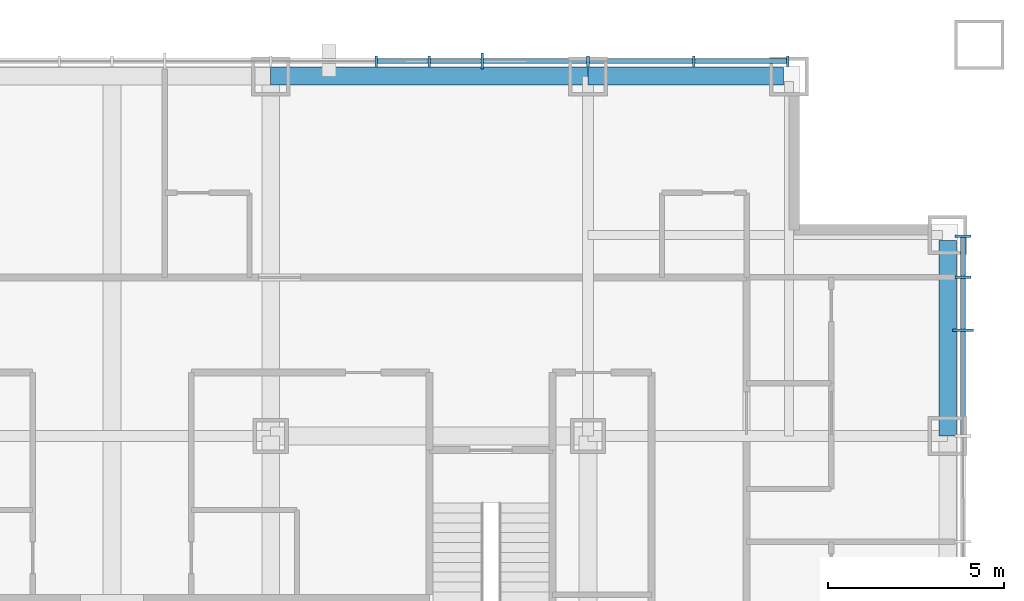
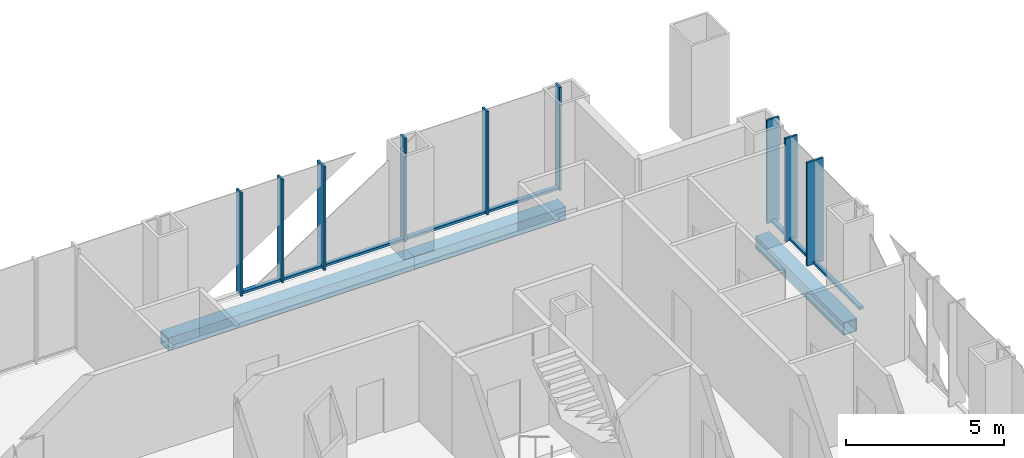
# One storey, part 6 of 13: 17 members, 3 beams, 2 elements without a shape of their own.
"""IFC4 building model written with IfcOpenShell, lengths in metres."""

from ifc_helpers import new_model, si_unit, direction, frame, origin, origin_2d, place, context, subcontext, project, spatial, rectangle, hollow_rectangle, extrude, material, layer, layer_set, material_profile, profile_set, type_object, element, aggregate, save


model = new_model("IFC4")

# Units and contexts
model_context = context("Model", 3, precision=1e-05, world=origin(), true_north=direction((0.0, 1.0)))
body_context = subcontext(model_context, "Body", "Model", "MODEL_VIEW")
ifc_project = project(units=[si_unit("LENGTHUNIT", "METRE"), si_unit("AREAUNIT", "SQUARE_METRE"), si_unit("VOLUMEUNIT", "CUBIC_METRE"), si_unit("PLANEANGLEUNIT", "RADIAN"), si_unit("MASSUNIT", "GRAM", prefix="KILO")], contexts=[model_context])

# Site, building, storey
site_placement = place(None, origin())
site = spatial("IfcSite", under=ifc_project, at=site_placement, CompositionType="ELEMENT")
building_placement = place(site_placement, origin())
building = spatial("IfcBuilding", under=site, at=building_placement, Name="Malebo Sky Hospital", CompositionType="ELEMENT")
storey_placement = place(building_placement, frame((0.0, 0.0, 160.0)))
storey = spatial("IfcBuildingStorey", under=building, at=storey_placement, Name="L38", CompositionType="ELEMENT", Elevation=160.0)

# Curtain wall, members
ifc_material_1 = material(Name="Anodised aluminium, natural silver", Category="aluminium")
ifc_layer_1 = layer(ifc_material_1, 0.25)
ifc_layer_set_1 = layer_set([ifc_layer_1], Name="WARD CURTAIN WALL NORTH AND SOUTH")
curtain_wall_type_1 = type_object("IfcCurtainWallType", Name="WARD CURTAIN WALL NORTH AND SOUTH", PredefinedType="NOTDEFINED", material=ifc_layer_set_1)
curtain_wall_1_placement = place(storey_placement, origin())
curtain_wall_1 = element("IfcCurtainWall", 1, at=curtain_wall_1_placement, inside=storey, type_object=curtain_wall_type_1, Name="NS curtain wall N", PredefinedType="NOTDEFINED")
ifc_material_profile_1 = material_profile(ifc_material_1, rectangle(XDim=0.14990234375, YDim=0.10009765625, at=origin_2d()), Name="ALUMINIUM TRANSOM 150x100")
ifc_profile_set_1 = profile_set([ifc_material_profile_1], Name="Anodised aluminium, natural silver")
member_type_1 = type_object("IfcMemberType", Name="ALUMINIUM TRANSOM 150x100", PredefinedType="USERDEFINED", material=ifc_profile_set_1)
member_1_placement = place(storey_placement, frame((67.53759765625, 86.135009765625, 0.050048828125), z_axis=(1.0, 0.0, 0.0), x_axis=(0.0, 1.0, 0.0)))
member_1 = element("IfcMember", 2, at=member_1_placement, type_object=member_type_1, Name="Transom 13", ObjectType="TRANSOM", PredefinedType="USERDEFINED", context=body_context, shape_type="SweptSolid", body=[
    extrude(rectangle(XDim=0.14990234375, YDim=0.10009765625, at=origin_2d()), origin(), (0.0, 0.0, 1.0), 1.4248046875),
])
member_2_placement = place(storey_placement, frame((69.03759765625, 86.135009765625, 0.050048828125), z_axis=(1.0, 0.0, 0.0), x_axis=(0.0, 1.0, 0.0)))
member_2 = element("IfcMember", 3, at=member_2_placement, type_object=member_type_1, Name="Transom 14", ObjectType="TRANSOM", PredefinedType="USERDEFINED", context=body_context, shape_type="SweptSolid", body=[
    extrude(rectangle(XDim=0.14990234375, YDim=0.10009765625, at=origin_2d()), origin(), (0.0, 0.0, 1.0), 1.4248046875),
])
member_3_placement = place(storey_placement, frame((70.53759765625, 86.135009765625, 0.050048828125), z_axis=(1.0, 0.0, 0.0), x_axis=(0.0, 1.0, 0.0)))
member_3 = element("IfcMember", 4, at=member_3_placement, type_object=member_type_1, Name="Transom 15", ObjectType="TRANSOM", PredefinedType="USERDEFINED", context=body_context, shape_type="SweptSolid", body=[
    extrude(rectangle(XDim=0.14990234375, YDim=0.10009765625, at=origin_2d()), origin(), (0.0, 0.0, 1.0), 2.9248046875),
])
member_4_placement = place(storey_placement, frame((73.53759765625, 86.135009765625, 0.050048828125), z_axis=(1.0, 0.0, 0.0), x_axis=(0.0, 1.0, 0.0)))
member_4 = element("IfcMember", 5, at=member_4_placement, type_object=member_type_1, Name="Transom 16", ObjectType="TRANSOM", PredefinedType="USERDEFINED", context=body_context, shape_type="SweptSolid", body=[
    extrude(rectangle(XDim=0.14990234375, YDim=0.10009765625, at=origin_2d()), origin(), (0.0, 0.0, 1.0), 2.9248046875),
])
member_5_placement = place(storey_placement, frame((76.53759765625, 86.135009765625, 0.050048828125), z_axis=(1.0, 0.0, 0.0), x_axis=(0.0, 1.0, 0.0)))
member_5 = element("IfcMember", 6, at=member_5_placement, type_object=member_type_1, Name="Transom 17", ObjectType="TRANSOM", PredefinedType="USERDEFINED", context=body_context, shape_type="SweptSolid", body=[
    extrude(rectangle(XDim=0.14990234375, YDim=0.10009765625, at=origin_2d()), origin(), (0.0, 0.0, 1.0), 2.58740234375),
])

ifc_layer_2 = layer(ifc_material_1, 0.25)
ifc_layer_set_2 = layer_set([ifc_layer_2], Name="WARD CURTAIN WALL EAST AND WEST")
curtain_wall_type_2 = type_object("IfcCurtainWallType", Name="WARD CURTAIN WALL EAST AND WEST", PredefinedType="NOTDEFINED", material=ifc_layer_set_2)
curtain_wall_2_placement = place(storey_placement, origin())
curtain_wall_2 = element("IfcCurtainWall", 7, at=curtain_wall_2_placement, inside=storey, type_object=curtain_wall_type_2, Name="EW curtain wall E", PredefinedType="NOTDEFINED")
member_6_placement = place(storey_placement, frame((84.135009765625, 81.125, 0.050048828125), z_axis=(0.0, -1.0, 0.0), x_axis=(1.0, 0.0, 0.0)))
member_6 = element("IfcMember", 8, at=member_6_placement, type_object=member_type_1, Name="Transom 1", ObjectType="TRANSOM", PredefinedType="USERDEFINED", context=body_context, shape_type="SweptSolid", body=[
    extrude(rectangle(XDim=0.14990234375, YDim=0.10009765625, at=origin_2d()), origin(), (0.0, 0.0, 1.0), 1.08740234375),
])
member_7_placement = place(storey_placement, frame((84.135009765625, 79.96240234375, 0.050048828125), z_axis=(0.0, -1.0, 0.0), x_axis=(1.0, 0.0, 0.0)))
member_7 = element("IfcMember", 9, at=member_7_placement, type_object=member_type_1, Name="Transom 2", ObjectType="TRANSOM", PredefinedType="USERDEFINED", context=body_context, shape_type="SweptSolid", body=[
    extrude(rectangle(XDim=0.14990234375, YDim=0.10009765625, at=origin_2d()), origin(), (0.0, 0.0, 1.0), 1.4248046875),
])
member_8_placement = place(storey_placement, frame((84.135009765625, 78.46240234375, 0.050048828125), z_axis=(0.0, -1.0, 0.0), x_axis=(1.0, 0.0, 0.0)))
member_8 = element("IfcMember", 10, at=member_8_placement, type_object=member_type_1, Name="Transom 3", ObjectType="TRANSOM", PredefinedType="USERDEFINED", context=body_context, shape_type="SweptSolid", body=[
    extrude(rectangle(XDim=0.14990234375, YDim=0.10009765625, at=origin_2d()), origin(), (0.0, 0.0, 1.0), 2.9248046875),
])

# Member
ifc_material_profile_2 = material_profile(ifc_material_1, rectangle(XDim=0.074951171875, YDim=0.300048828125, at=origin_2d()), Name="CW1 ALUMINIUM FIN MULLION 75x300")
ifc_profile_set_2 = profile_set([ifc_material_profile_2], Name="Anodised aluminium, natural silver")
member_type_2 = type_object("IfcMemberType", Name="CW1 ALUMINIUM FIN MULLION 75x300", PredefinedType="MULLION", material=ifc_profile_set_2)
member_9_placement = place(storey_placement, frame((67.5, 86.135009765625, 0.0), z_axis=(0.0, 0.0, 1.0), x_axis=(1.0, 0.0, 0.0)))
member_9 = element("IfcMember", 11, at=member_9_placement, type_object=member_type_2, Name="Fin mullion 13", PredefinedType="MULLION", context=body_context, shape_type="SweptSolid", body=[
    extrude(rectangle(XDim=0.074951171875, YDim=0.300048828125, at=origin_2d()), origin(), (0.0, 0.0, 1.0), 4.0),
])

member_10_placement = place(storey_placement, frame((69.0, 86.135009765625, 0.0), z_axis=(0.0, 0.0, 1.0), x_axis=(1.0, 0.0, 0.0)))
member_10 = element("IfcMember", 12, at=member_10_placement, type_object=member_type_2, Name="Fin mullion 14", PredefinedType="MULLION", context=body_context, shape_type="SweptSolid", body=[
    extrude(rectangle(XDim=0.074951171875, YDim=0.300048828125, at=origin_2d()), origin(), (0.0, 0.0, 1.0), 4.0),
])

member_11_placement = place(storey_placement, frame((73.5, 86.135009765625, 0.0), z_axis=(0.0, 0.0, 1.0), x_axis=(1.0, 0.0, 0.0)))
member_11 = element("IfcMember", 13, at=member_11_placement, type_object=member_type_2, Name="Fin mullion 16", PredefinedType="MULLION", context=body_context, shape_type="SweptSolid", body=[
    extrude(rectangle(XDim=0.074951171875, YDim=0.300048828125, at=origin_2d()), origin(), (0.0, 0.0, 1.0), 4.0),
])

member_12_placement = place(storey_placement, frame((76.5, 86.135009765625, 0.0), z_axis=(0.0, 0.0, 1.0), x_axis=(1.0, 0.0, 0.0)))
member_12 = element("IfcMember", 14, at=member_12_placement, type_object=member_type_2, Name="Fin mullion 17", PredefinedType="MULLION", context=body_context, shape_type="SweptSolid", body=[
    extrude(rectangle(XDim=0.074951171875, YDim=0.300048828125, at=origin_2d()), origin(), (0.0, 0.0, 1.0), 4.0),
])

member_13_placement = place(storey_placement, frame((79.16259765625, 86.135009765625, 0.0), z_axis=(0.0, 0.0, 1.0), x_axis=(1.0, 0.0, 0.0)))
member_13 = element("IfcMember", 15, at=member_13_placement, type_object=member_type_2, Name="Fin mullion 18", PredefinedType="MULLION", context=body_context, shape_type="SweptSolid", body=[
    extrude(rectangle(XDim=0.074951171875, YDim=0.300048828125, at=origin_2d()), origin(), (0.0, 0.0, 1.0), 4.0),
])

ifc_material_profile_3 = material_profile(ifc_material_1, rectangle(XDim=0.074951171875, YDim=0.449951171875, at=origin_2d()), Name="CW1 ALUMINIUM FIN MULLION 75x450")
ifc_profile_set_3 = profile_set([ifc_material_profile_3], Name="Anodised aluminium, natural silver")
member_type_3 = type_object("IfcMemberType", Name="CW1 ALUMINIUM FIN MULLION 75x450", PredefinedType="MULLION", material=ifc_profile_set_3)
member_14_placement = place(storey_placement, frame((70.5, 86.135009765625, 0.0), z_axis=(0.0, 0.0, 1.0), x_axis=(1.0, 0.0, 0.0)))
member_14 = element("IfcMember", 16, at=member_14_placement, type_object=member_type_3, Name="Fin mullion 15", PredefinedType="MULLION", context=body_context, shape_type="SweptSolid", body=[
    extrude(rectangle(XDim=0.074951171875, YDim=0.449951171875, at=origin_2d()), origin(), (0.0, 0.0, 1.0), 4.0),
])

aggregate(curtain_wall_1, [member_9, member_10, member_14, member_11, member_12, member_13, member_1, member_2, member_3, member_4, member_5])

ifc_material_profile_4 = material_profile(ifc_material_1, rectangle(XDim=0.074951171875, YDim=0.449951171875, at=origin_2d()), Name="CW2 ALUMINIUM FIN MULLION 75x450")
ifc_profile_set_4 = profile_set([ifc_material_profile_4], Name="Anodised aluminium, natural silver")
member_type_4 = type_object("IfcMemberType", Name="CW2 ALUMINIUM FIN MULLION 75x450", PredefinedType="MULLION", material=ifc_profile_set_4)
member_15_placement = place(storey_placement, frame((84.135009765625, 81.16259765625, 0.0), z_axis=(0.0, 0.0, 1.0), x_axis=(0.0, -1.0, 0.0)))
member_15 = element("IfcMember", 17, at=member_15_placement, type_object=member_type_4, Name="Fin mullion 1", PredefinedType="MULLION", context=body_context, shape_type="SweptSolid", body=[
    extrude(rectangle(XDim=0.074951171875, YDim=0.449951171875, at=origin_2d()), origin(), (0.0, 0.0, 1.0), 4.0),
])

member_16_placement = place(storey_placement, frame((84.135009765625, 80.0, 0.0), z_axis=(0.0, 0.0, 1.0), x_axis=(0.0, -1.0, 0.0)))
member_16 = element("IfcMember", 18, at=member_16_placement, type_object=member_type_4, Name="Fin mullion 2", PredefinedType="MULLION", context=body_context, shape_type="SweptSolid", body=[
    extrude(rectangle(XDim=0.074951171875, YDim=0.449951171875, at=origin_2d()), origin(), (0.0, 0.0, 1.0), 4.0),
])

ifc_material_profile_5 = material_profile(ifc_material_1, rectangle(XDim=0.074951171875, YDim=0.60009765625, at=origin_2d()), Name="CW2 ALUMINIUM FIN MULLION 75x600")
ifc_profile_set_5 = profile_set([ifc_material_profile_5], Name="Anodised aluminium, natural silver")
member_type_5 = type_object("IfcMemberType", Name="CW2 ALUMINIUM FIN MULLION 75x600", PredefinedType="MULLION", material=ifc_profile_set_5)
member_17_placement = place(storey_placement, frame((84.135009765625, 78.5, 0.0), z_axis=(0.0, 0.0, 1.0), x_axis=(0.0, -1.0, 0.0)))
member_17 = element("IfcMember", 19, at=member_17_placement, type_object=member_type_5, Name="Fin mullion 3", PredefinedType="MULLION", context=body_context, shape_type="SweptSolid", body=[
    extrude(rectangle(XDim=0.074951171875, YDim=0.60009765625, at=origin_2d()), origin(), (0.0, 0.0, 1.0), 4.0),
])

aggregate(curtain_wall_2, [member_15, member_16, member_17, member_6, member_7, member_8])

# Beams
ifc_material_2 = material(Name="Steel S460", Category="steel")
ifc_material_profile_6 = material_profile(ifc_material_2, hollow_rectangle(XDim=0.5, YDim=0.5, WallThickness=0.030029296875, at=origin_2d()), Name="BOX 500x500x30")
ifc_profile_set_6 = profile_set([ifc_material_profile_6], Name="Steel S460")
beam_type = type_object("IfcBeamType", Name="EDGE BEAM BOX 500x500x30", PredefinedType="BEAM", material=ifc_profile_set_6)
beam_1_placement = place(storey_placement, frame((83.699951171875, 75.5, -0.5), z_axis=(0.0, 1.0, 0.0), x_axis=(-1.0, 0.0, 0.0)))
element("IfcBeam", 20, at=beam_1_placement, inside=storey, type_object=beam_type, Name="Beam 033 L38", PredefinedType="BEAM", context=body_context, shape_type="SweptSolid", body=[
    extrude(hollow_rectangle(XDim=0.5, YDim=0.5, WallThickness=0.030029296875, at=origin_2d()), origin(), (0.0, 0.0, 1.0), 5.550048828125),
])
beam_2_placement = place(storey_placement, frame((64.5, 85.699951171875, -0.5), z_axis=(1.0, 0.0, 0.0), x_axis=(0.0, 1.0, 0.0)))
element("IfcBeam", 21, at=beam_2_placement, inside=storey, type_object=beam_type, Name="Beam 066 L38", PredefinedType="BEAM", context=body_context, shape_type="SweptSolid", body=[
    extrude(hollow_rectangle(XDim=0.5, YDim=0.5, WallThickness=0.030029296875, at=origin_2d()), origin(), (0.0, 0.0, 1.0), 9.0),
])
beam_3_placement = place(storey_placement, frame((73.5, 85.699951171875, -0.5), z_axis=(1.0, 0.0, 0.0), x_axis=(0.0, 1.0, 0.0)))
element("IfcBeam", 22, at=beam_3_placement, inside=storey, type_object=beam_type, Name="Beam 067 L38", PredefinedType="BEAM", context=body_context, shape_type="SweptSolid", body=[
    extrude(hollow_rectangle(XDim=0.5, YDim=0.5, WallThickness=0.030029296875, at=origin_2d()), origin(), (0.0, 0.0, 1.0), 5.550048828125),
])

save(model, "model.ifc")
